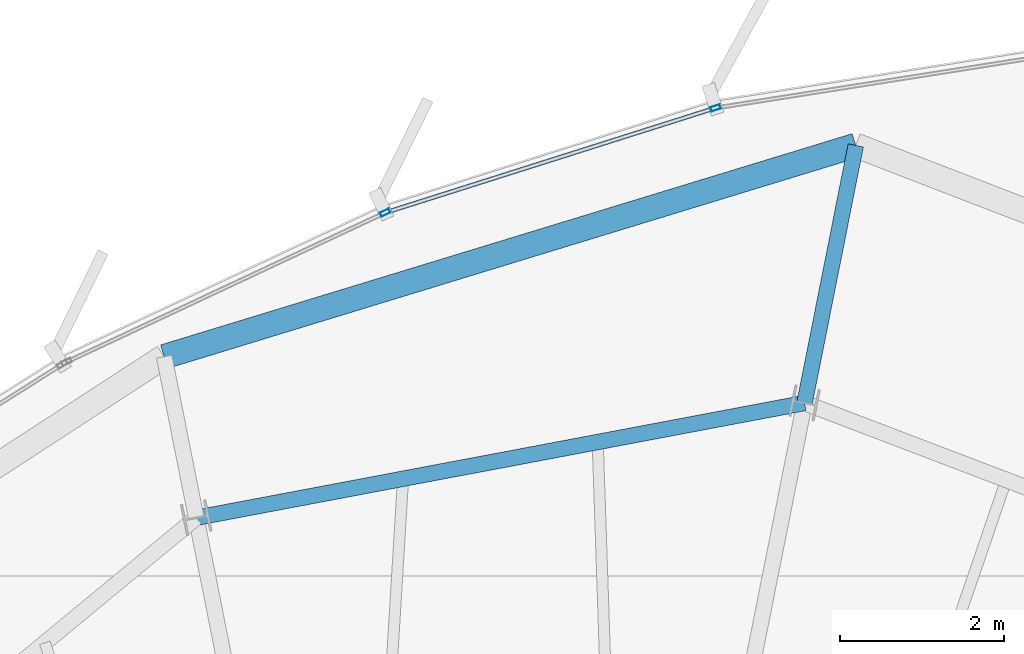
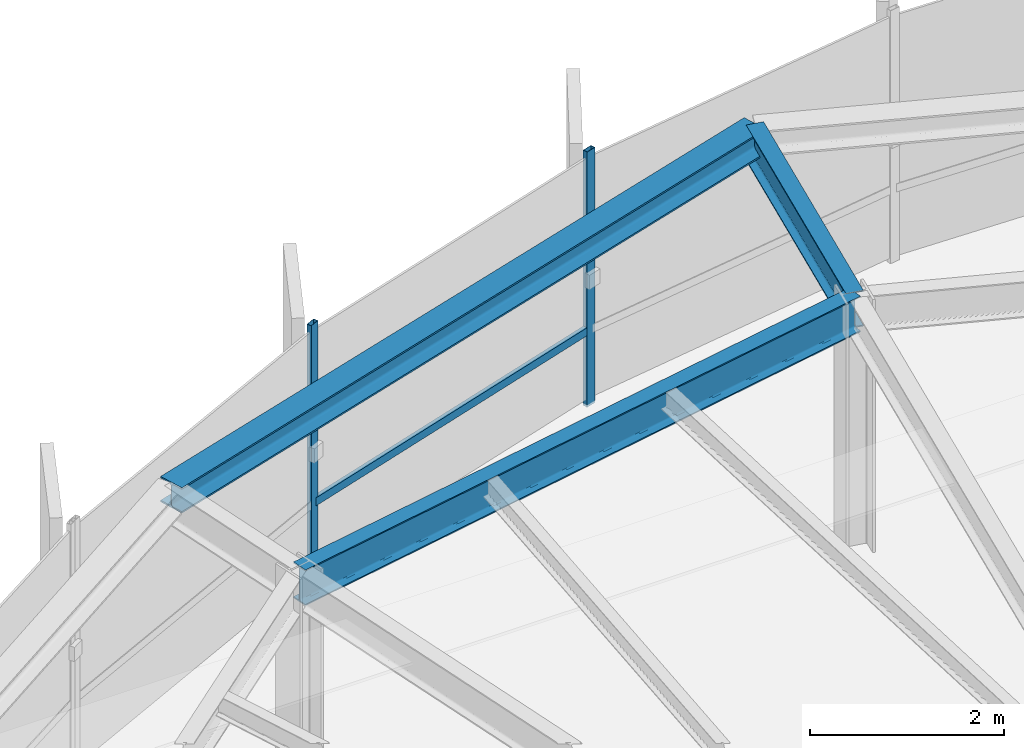
# One storey, part 23 of 36: 3 beams, 3 members, 1 element without a shape of its own.
"""IFC4 building model written with IfcOpenShell, lengths in metres."""

from ifc_helpers import new_model, si_unit, direction, frame, origin, origin_2d, place, context, subcontext, project, spatial, hollow_rectangle, i_section, extrude, source, transform, mapped, material, layer, layer_set, material_profile, profile_set, type_object, element, aggregate, save


model = new_model("IFC4")

# Units and contexts
model_context = context("Model", 3, precision=1e-05, world=origin(), true_north=direction((0.0, 1.0)))
body_context = subcontext(model_context, "Body", "Model", "MODEL_VIEW")
ifc_project = project(units=[si_unit("LENGTHUNIT", "METRE"), si_unit("AREAUNIT", "SQUARE_METRE"), si_unit("VOLUMEUNIT", "CUBIC_METRE"), si_unit("PLANEANGLEUNIT", "RADIAN"), si_unit("MASSUNIT", "GRAM", prefix="KILO"), si_unit("THERMODYNAMICTEMPERATUREUNIT", "KELVIN")], contexts=[model_context])

# Site, building, storey
site_placement = place(None, origin())
site = spatial("IfcSite", under=ifc_project, at=site_placement, CompositionType="ELEMENT")
building_placement = place(site_placement, origin())
building = spatial("IfcBuilding", under=site, at=building_placement, Name="Kethvar Cultural Tower", CompositionType="ELEMENT")
storey_placement = place(building_placement, frame((0.0, 0.0, 242.199951171875)))
storey = spatial("IfcBuildingStorey", under=building, at=storey_placement, Name="L63", CompositionType="ELEMENT", Elevation=242.199951171875)

# Beams
ifc_material_1 = material(Name="Steel S355J2", Category="steel")
ifc_material_profile_1 = material_profile(ifc_material_1, i_section(OverallWidth=0.18994140625, OverallDepth=0.449951171875, WebThickness=0.009521484375, FlangeThickness=0.0146484375, FilletRadius=0.02099609375, at=origin_2d()), Name="Steel S355J2 — IPE450")
ifc_profile_set_1 = profile_set([ifc_material_profile_1], Name="Steel S355J2 — IPE450")
beam_type_1 = type_object("IfcBeamType", Name="BM-IPE450", PredefinedType="BEAM", material=ifc_profile_set_1)
shared_shape_1 = source(origin(), body_context, "Body", "SweptSolid", [
    extrude(i_section(OverallWidth=0.18994140625, OverallDepth=0.449951171875, WebThickness=0.009521484375, FlangeThickness=0.0146484375, FilletRadius=0.02099609375, at=origin_2d()), origin(), (0.0, 0.0, 1.0), 3.199951171875),
])
beam_1_placement = place(storey_placement, frame((50.645263671875, 47.131591796875, 2.983154296875), z_axis=(0.195088965533, 0.980785550224, 0.0), x_axis=(-0.980785550224, 0.195088965533, 0.0)))
element("IfcBeam", 1, at=beam_1_placement, inside=storey, type_object=beam_type_1, Name="L63 Perimeter Cantilever Beam RC-04", PredefinedType="BEAM", context=body_context, shape_type="MappedRepresentation", body=[
    mapped(shared_shape_1, transform((0.0, 0.0, 0.0), scale=1.0)),
])
shared_shape_2 = source(origin(), body_context, "Body", "SweptSolid", [
    extrude(i_section(OverallWidth=0.18994140625, OverallDepth=0.449951171875, WebThickness=0.009521484375, FlangeThickness=0.0146484375, FilletRadius=0.02099609375, at=origin_2d()), origin(), (0.0, 0.0, 1.0), 7.543212890625),
])
beam_2_placement = place(storey_placement, frame((50.645263671875, 47.131591796875, 2.983154296875), z_axis=(-0.982646853086, -0.185486285532, 0.0), x_axis=(0.185486285532, -0.982646853086, 0.0)))
element("IfcBeam", 2, at=beam_2_placement, inside=storey, type_object=beam_type_1, Name="L63 Column Ring Tie Beam CR-04", PredefinedType="BEAM", context=body_context, shape_type="MappedRepresentation", body=[
    mapped(shared_shape_2, transform((0.0, 0.0, 0.0), scale=1.0)),
])
ifc_material_profile_2 = material_profile(ifc_material_1, i_section(OverallWidth=0.300048828125, OverallDepth=0.320068359375, WebThickness=0.011474609375, FlangeThickness=0.0205078125, FilletRadius=0.027099609375, at=origin_2d()), Name="Steel S355J2 — HEB320")
ifc_profile_set_2 = profile_set([ifc_material_profile_2], Name="Steel S355J2 — HEB320")
beam_type_2 = type_object("IfcBeamType", Name="BM-SP320", PredefinedType="SPANDREL", material=ifc_profile_set_2)
shared_shape_3 = source(origin(), body_context, "Body", "SweptSolid", [
    extrude(i_section(OverallWidth=0.300048828125, OverallDepth=0.320068359375, WebThickness=0.011474609375, FlangeThickness=0.0205078125, FilletRadius=0.027099609375, at=origin_2d()), origin(), (0.0, 0.0, 1.0), 8.8115234375),
])
beam_3_placement = place(storey_placement, frame((51.26953125, 50.27001953125, 3.048095703125), z_axis=(-0.956376087137, -0.292138289089, 0.0), x_axis=(0.292138289089, -0.956376087137, 0.0)))
element("IfcBeam", 3, at=beam_3_placement, inside=storey, type_object=beam_type_2, Name="L63 Perimeter Spandrel Beam SP-04", PredefinedType="SPANDREL", context=body_context, shape_type="MappedRepresentation", body=[
    mapped(shared_shape_3, transform((0.0, 0.0, 0.0), scale=1.0)),
])

# Curtain wall, members
ifc_material_2 = material(Name="Aluminium 6063-T6", Category="aluminium")
ifc_layer = layer(ifc_material_2, 0.179931640625, Name="Aluminium 6063-T6", Category="aluminium")
ifc_layer_set = layer_set([ifc_layer], Name="Aluminium 6063-T6 (180 mm)")
curtain_wall_type = type_object("IfcCurtainWallType", Name="CW-SYS-05-Z56", PredefinedType="NOTDEFINED", material=ifc_layer_set)
curtain_wall_placement = place(storey_placement, origin())
curtain_wall = element("IfcCurtainWall", 4, at=curtain_wall_placement, inside=storey, type_object=curtain_wall_type, Name="L63 Curtain Wall Run 01", PredefinedType="NOTDEFINED")
ifc_material_profile_3 = material_profile(ifc_material_2, hollow_rectangle(XDim=0.054931640625, YDim=0.1201171875, WallThickness=0.00390625, at=origin_2d()), Name="Aluminium 6063-T6 — RHS120x55x4")
ifc_profile_set_3 = profile_set([ifc_material_profile_3], Name="Aluminium 6063-T6 — RHS120x55x4")
member_type_1 = type_object("IfcMemberType", Name="CW-SYS-05-Z56-MUL", PredefinedType="MULLION", material=ifc_profile_set_3)
shared_shape_4 = source(origin(), body_context, "Body", "SweptSolid", [
    extrude(hollow_rectangle(XDim=0.054931640625, YDim=0.1201171875, WallThickness=0.00390625, at=origin_2d()), origin(), (0.0, 0.0, 1.0), 3.2099609375),
])
member_1_placement = place(storey_placement, frame((49.562255859375, 50.727294921875, 0.0), z_axis=(0.0, 0.0, 1.0), x_axis=(0.302236797279, -0.953232877303, 0.0)))
member_1 = element("IfcMember", 5, at=member_1_placement, type_object=member_type_1, Name="CW-L63-R01 Mullion 5", PredefinedType="MULLION", context=body_context, shape_type="MappedRepresentation", body=[
    mapped(shared_shape_4, transform((0.0, 0.0, 0.0), scale=1.0)),
])
member_2_placement = place(storey_placement, frame((45.535400390625, 49.451416015625, 0.0), z_axis=(0.0, 0.0, 1.0), x_axis=(0.424468091741, -0.90544289665, 0.0)))
member_2 = element("IfcMember", 6, at=member_2_placement, type_object=member_type_1, Name="CW-L63-R01 Mullion 6", PredefinedType="MULLION", context=body_context, shape_type="MappedRepresentation", body=[
    mapped(shared_shape_4, transform((0.0, 0.0, 0.0), scale=1.0)),
])
ifc_material_profile_4 = material_profile(ifc_material_2, hollow_rectangle(XDim=0.050048828125, YDim=0.10009765625, WallThickness=0.00390625, at=origin_2d()), Name="Aluminium 6063-T6 — RHS100x50x4")
ifc_profile_set_4 = profile_set([ifc_material_profile_4], Name="Aluminium 6063-T6 — RHS100x50x4")
member_type_2 = type_object("IfcMemberType", Name="CW-SYS-05-Z56-TRN", PredefinedType="USERDEFINED", material=ifc_profile_set_4)
shared_shape_5 = source(origin(), body_context, "Body", "SweptSolid", [
    extrude(hollow_rectangle(XDim=0.050048828125, YDim=0.10009765625, WallThickness=0.00390625, at=origin_2d()), origin(), (0.0, 0.0, 1.0), 4.158203125),
])
member_3_placement = place(storey_placement, frame((49.524658203125, 50.71533203125, 0.949951171875), z_axis=(-0.953225273926, -0.302260776728, 0.0), x_axis=(0.302260776728, -0.953225273926, 0.0)))
member_3 = element("IfcMember", 7, at=member_3_placement, type_object=member_type_2, Name="CW-L63-R01 Transom 5", ObjectType="TRANSOM", PredefinedType="USERDEFINED", context=body_context, shape_type="MappedRepresentation", body=[
    mapped(shared_shape_5, transform((0.0, 0.0, 0.0), scale=1.0)),
])
aggregate(curtain_wall, [member_1, member_2, member_3])

save(model, "model.ifc")
